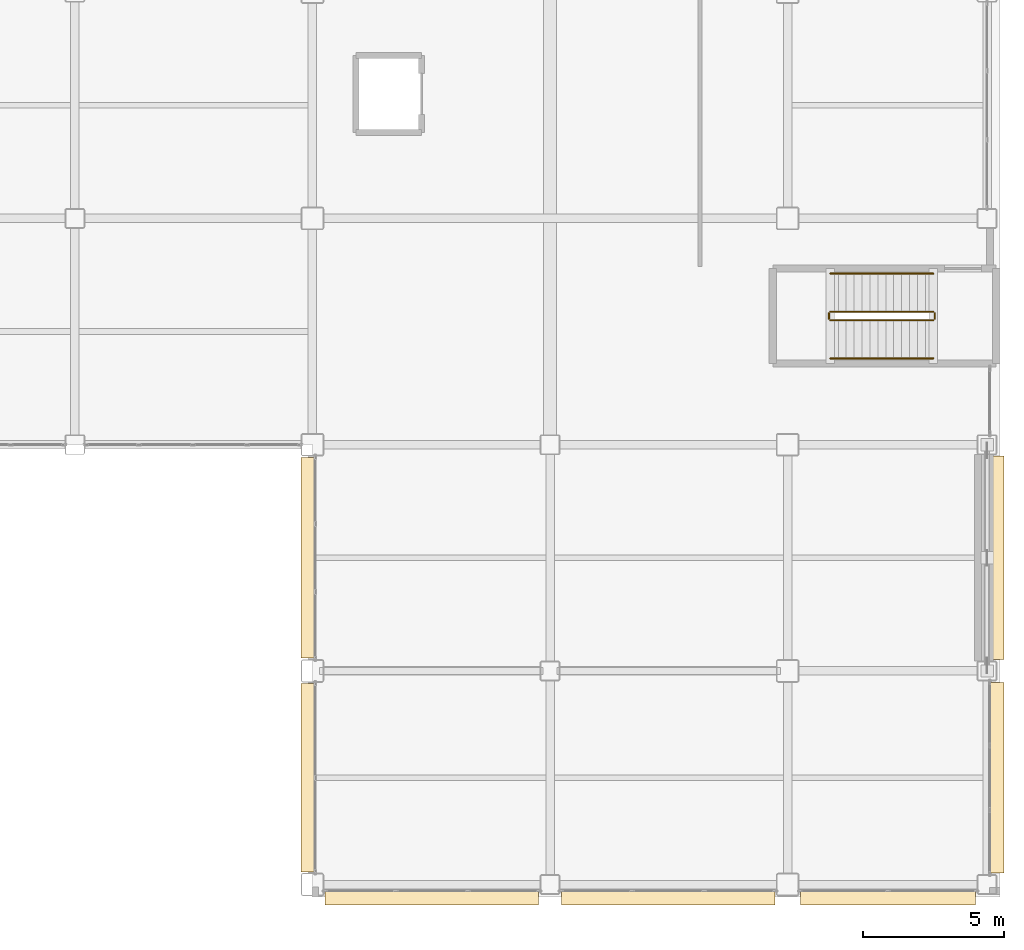
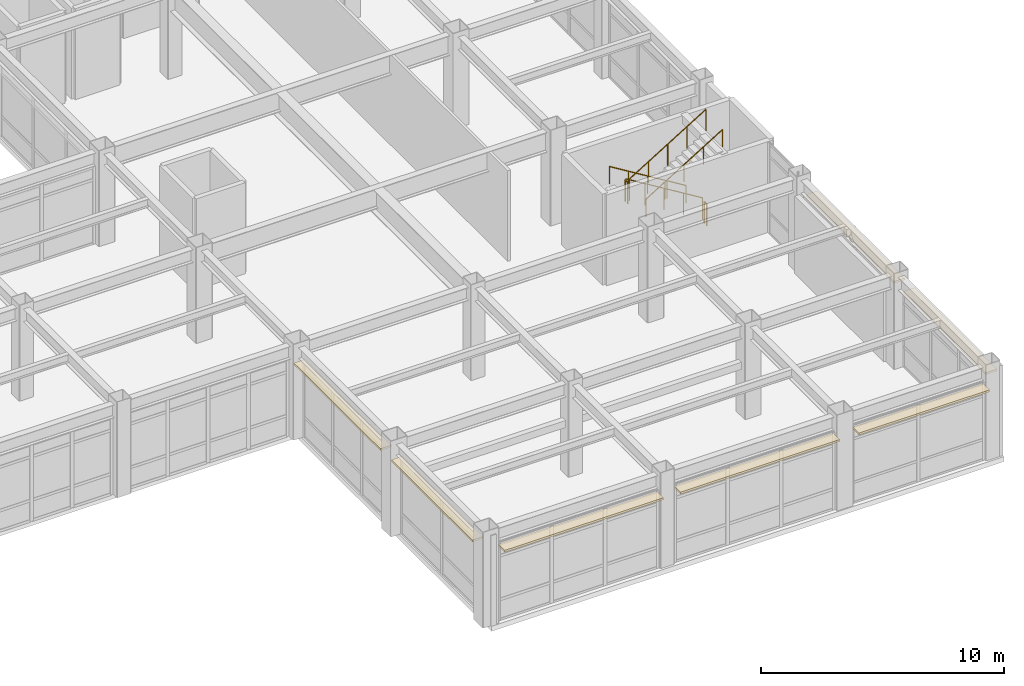
# One storey, part 150 of 154: 7 coverings, 6 railings.
"""IFC4 building model written with IfcOpenShell, lengths in metres."""

from ifc_helpers import new_model, si_unit, direction, frame, origin, origin_2d, place, context, subcontext, project, spatial, rectangle, circle, extrude, material, layer, layer_set, type_object, element, save


model = new_model("IFC4")

# Units and contexts
model_context = context("Model", 3, precision=1e-05, world=origin(), true_north=direction((0.0, 1.0)))
body_context = subcontext(model_context, "Body", "Model", "MODEL_VIEW")
ifc_project = project(units=[si_unit("LENGTHUNIT", "METRE"), si_unit("AREAUNIT", "SQUARE_METRE"), si_unit("VOLUMEUNIT", "CUBIC_METRE"), si_unit("PLANEANGLEUNIT", "RADIAN"), si_unit("MASSUNIT", "GRAM", prefix="KILO")], contexts=[model_context])

# Site, building, storey
site_placement = place(None, origin())
site = spatial("IfcSite", under=ifc_project, at=site_placement, CompositionType="ELEMENT")
building_placement = place(site_placement, origin())
building = spatial("IfcBuilding", under=site, at=building_placement, Name="Kazehara Bluff Congress Hotel", CompositionType="ELEMENT")
storey_placement = place(building_placement, frame((0.0, 0.0, 10.199951171875)))
storey = spatial("IfcBuildingStorey", under=building, at=storey_placement, Name="L02", CompositionType="ELEMENT", Elevation=10.199951171875)

# Coverings
ifc_material_1 = material(Name="Anodised aluminium architectural brise-soleil", Category="aluminium")
ifc_layer = layer(ifc_material_1, 0.10009765625)
ifc_layer_set = layer_set([ifc_layer], Name="Anodised aluminium architectural brise-soleil")
covering_type = type_object("IfcCoveringType", Name="TP-FAC-FIN", PredefinedType="CLADDING", material=ifc_layer_set)
for number, where, z_axis, x_axis, name in (
    (1, (147.925048828125, -0.02001953125, 3.715087890625), (0.0, 0.0, 1.0), (1.0, 0.0, 0.0), "L02 V5 architectural sun-hood 103"),
    (2, (156.27490234375, -0.02001953125, 3.715087890625), (0.0, 0.0, 1.0), (1.0, 0.0, 0.0), "L02 V5 architectural sun-hood 104"),
):
    element("IfcCovering", number, at=place(storey_placement, frame(where, z_axis=z_axis, x_axis=x_axis)), inside=storey, type_object=covering_type, Name=name, PredefinedType="CLADDING", context=body_context, shape_type="SweptSolid", body=[
        extrude(rectangle(XDim=7.550048828125, YDim=0.52001953125, at=origin_2d()), origin(), (0.0, 0.0, 1.0), 0.10009765625),
    ])
covering_1_placement = place(storey_placement, frame((164.050048828125, -0.02001953125, 3.715087890625), z_axis=(0.0, 0.0, 1.0), x_axis=(1.0, 0.0, 0.0)))
element("IfcCovering", 3, at=covering_1_placement, inside=storey, type_object=covering_type, Name="L02 V5 architectural sun-hood 105", PredefinedType="CLADDING", context=body_context, shape_type="SweptSolid", body=[
    extrude(rectangle(XDim=6.199951171875, YDim=0.52001953125, at=origin_2d()), origin(), (0.0, 0.0, 1.0), 0.10009765625),
])
covering_2_placement = place(storey_placement, frame((167.889892578125, 4.22509765625, 3.715087890625), z_axis=(0.0, 0.0, 1.0), x_axis=(1.0, 0.0, 0.0)))
element("IfcCovering", 4, at=covering_2_placement, inside=storey, type_object=covering_type, Name="L02 V5 architectural sun-hood 106", PredefinedType="CLADDING", context=body_context, shape_type="SweptSolid", body=[
    extrude(rectangle(XDim=0.52001953125, YDim=6.75, at=origin_2d()), origin(), (0.0, 0.0, 1.0), 0.10009765625),
])
covering_3_placement = place(storey_placement, frame((167.889892578125, 12.0, 3.715087890625), z_axis=(0.0, 0.0, 1.0), x_axis=(1.0, 0.0, 0.0)))
element("IfcCovering", 5, at=covering_3_placement, inside=storey, type_object=covering_type, Name="L02 V5 architectural sun-hood 107", PredefinedType="CLADDING", context=body_context, shape_type="SweptSolid", body=[
    extrude(rectangle(XDim=0.52001953125, YDim=7.199951171875, at=origin_2d()), origin(), (0.0, 0.0, 1.0), 0.10009765625),
])
covering_4_placement = place(storey_placement, frame((143.56005859375, 4.22509765625, 3.81494140625), z_axis=(0.0, 0.0, 1.0), x_axis=(1.0, 0.0, 0.0)))
element("IfcCovering", 6, at=covering_4_placement, inside=storey, type_object=covering_type, Name="L02 V5 architectural sun-hood 134", PredefinedType="CLADDING", context=body_context, shape_type="SweptSolid", body=[
    extrude(rectangle(XDim=0.52001953125, YDim=6.64990234375, at=origin_2d()), origin(), (0.0, 0.0, 1.0), 0.10009765625),
])
covering_5_placement = place(storey_placement, frame((143.56005859375, 12.0, 3.81494140625), z_axis=(0.0, 0.0, 1.0), x_axis=(1.0, 0.0, 0.0)))
element("IfcCovering", 7, at=covering_5_placement, inside=storey, type_object=covering_type, Name="L02 V5 architectural sun-hood 135", PredefinedType="CLADDING", context=body_context, shape_type="SweptSolid", body=[
    extrude(rectangle(XDim=0.52001953125, YDim=7.10009765625, at=origin_2d()), origin(), (0.0, 0.0, 1.0), 0.10009765625),
])

# Railings
ifc_material_2 = material(Name="Brushed stainless steel", Category="steel")
railing_type_1 = type_object("IfcRailingType", Name="TP-GRD-INT", PredefinedType="GUARDRAIL", material=ifc_material_2)
railing_1_placement = place(storey_placement, frame((165.64990234375, 20.699951171875, 0.17138671875)))
element("IfcRailing", 8, at=railing_1_placement, inside=storey, type_object=railing_type_1, Name="L02 ST-10 stair guard 1", PredefinedType="GUARDRAIL", context=body_context, shape_type="SweptSolid", body=[
    extrude(circle(Radius=0.02392578125, at=origin_2d()), frame((0.0, 0.0, 1.076171875), z_axis=(-0.852824790078, 0.0, 0.522197163366), x_axis=(0.0, -1.0, 0.0)), (0.0, 0.0, 1.0), 4.26806640625),
    extrude(circle(Radius=0.02099609375, at=origin_2d()), origin(), (0.0, 0.0, 1.0), 1.052001953125),
    extrude(circle(Radius=0.02099609375, at=origin_2d()), frame((-0.909912109375, 0.0, 0.55712890625)), (0.0, 0.0, 1.0), 1.052001953125),
    extrude(circle(Radius=0.02099609375, at=origin_2d()), frame((-1.81982421875, 0.0, 1.1142578125)), (0.0, 0.0, 1.0), 1.052001953125),
    extrude(circle(Radius=0.02099609375, at=origin_2d()), frame((-2.72998046875, 0.0, 1.671630859375)), (0.0, 0.0, 1.0), 1.052001953125),
    extrude(circle(Radius=0.02099609375, at=origin_2d()), frame((-3.639892578125, 0.0, 2.228759765625)), (0.0, 0.0, 1.0), 1.052001953125),
])
railing_2_placement = place(storey_placement, frame((161.9599609375, 20.64990234375, 2.400146484375)))
element("IfcRailing", 9, at=railing_2_placement, inside=storey, type_object=railing_type_1, Name="L02 ST-10 stair guard 2", PredefinedType="GUARDRAIL", context=body_context, shape_type="SweptSolid", body=[
    extrude(circle(Radius=0.02392578125, at=origin_2d()), frame((0.0, 0.0, 1.076171875), z_axis=(0.0, -1.0, 0.0), x_axis=(1.0, 0.0, 0.0)), (0.0, 0.0, 1.0), 0.199951171875),
    extrude(circle(Radius=0.02099609375, at=origin_2d()), origin(), (0.0, 0.0, 1.0), 1.052001953125),
    extrude(circle(Radius=0.02099609375, at=origin_2d()), frame((0.0, -0.199951171875, 0.0)), (0.0, 0.0, 1.0), 1.052001953125),
])
railing_3_placement = place(storey_placement, frame((162.010009765625, 20.39990234375, 2.571533203125)))
element("IfcRailing", 10, at=railing_3_placement, inside=storey, type_object=railing_type_1, Name="L02 ST-10 stair guard 3", PredefinedType="GUARDRAIL", context=body_context, shape_type="SweptSolid", body=[
    extrude(circle(Radius=0.02392578125, at=origin_2d()), frame((0.0, 0.0, 1.076171875), z_axis=(0.852850264322, 0.0, 0.5221555579), x_axis=(0.0, 1.0, 0.0)), (0.0, 0.0, 1.0), 4.267822265625),
    extrude(circle(Radius=0.02099609375, at=origin_2d()), origin(), (0.0, 0.0, 1.0), 1.052001953125),
    extrude(circle(Radius=0.02099609375, at=origin_2d()), frame((0.909912109375, 0.0, 0.55712890625)), (0.0, 0.0, 1.0), 1.052001953125),
    extrude(circle(Radius=0.02099609375, at=origin_2d()), frame((1.81982421875, 0.0, 1.1142578125)), (0.0, 0.0, 1.0), 1.052001953125),
    extrude(circle(Radius=0.02099609375, at=origin_2d()), frame((2.72998046875, 0.0, 1.67138671875)), (0.0, 0.0, 1.0), 1.052001953125),
    extrude(circle(Radius=0.02099609375, at=origin_2d()), frame((3.639892578125, 0.0, 2.228515625)), (0.0, 0.0, 1.0), 1.052001953125),
])
railing_4_placement = place(storey_placement, frame((165.699951171875, 20.64990234375, 0.0)))
element("IfcRailing", 11, at=railing_4_placement, inside=storey, type_object=railing_type_1, Name="L02 ST-10 stair guard 4", PredefinedType="GUARDRAIL", context=body_context, shape_type="SweptSolid", body=[
    extrude(circle(Radius=0.02392578125, at=origin_2d()), frame((0.0, 0.0, 1.076171875), z_axis=(0.0, -1.0, 0.0), x_axis=(1.0, 0.0, 0.0)), (0.0, 0.0, 1.0), 0.199951171875),
    extrude(circle(Radius=0.02099609375, at=origin_2d()), origin(), (0.0, 0.0, 1.0), 1.052001953125),
    extrude(circle(Radius=0.02099609375, at=origin_2d()), frame((0.0, -0.199951171875, 0.0)), (0.0, 0.0, 1.0), 1.052001953125),
])
ifc_material_3 = material(Name="Brushed stainless steel", Category="steel")
railing_type_2 = type_object("IfcRailingType", Name="TP-HR-INT", PredefinedType="HANDRAIL", material=ifc_material_3)
railing_5_placement = place(storey_placement, frame((165.64990234375, 22.050048828125, 0.17138671875)))
element("IfcRailing", 12, at=railing_5_placement, inside=storey, type_object=railing_type_2, Name="L02 ST-10 stair handrail 1", PredefinedType="HANDRAIL", context=body_context, shape_type="SweptSolid", body=[
    extrude(circle(Radius=0.02392578125, at=origin_2d()), frame((0.0, 0.0, 0.8759765625), z_axis=(-0.852824790078, 0.0, 0.522197163366), x_axis=(0.0, -1.0, 0.0)), (0.0, 0.0, 1.0), 4.26806640625),
    extrude(circle(Radius=0.02099609375, at=origin_2d()), origin(), (0.0, 0.0, 1.0), 0.851806640625),
    extrude(circle(Radius=0.02099609375, at=origin_2d()), frame((-0.909912109375, 0.0, 0.55712890625)), (0.0, 0.0, 1.0), 0.851806640625),
    extrude(circle(Radius=0.02099609375, at=origin_2d()), frame((-1.81982421875, 0.0, 1.1142578125)), (0.0, 0.0, 1.0), 0.851806640625),
    extrude(circle(Radius=0.02099609375, at=origin_2d()), frame((-2.72998046875, 0.0, 1.671630859375)), (0.0, 0.0, 1.0), 0.851806640625),
    extrude(circle(Radius=0.02099609375, at=origin_2d()), frame((-3.639892578125, 0.0, 2.228759765625)), (0.0, 0.0, 1.0), 0.851806640625),
])
railing_6_placement = place(storey_placement, frame((162.010009765625, 19.050048828125, 2.571533203125)))
element("IfcRailing", 13, at=railing_6_placement, inside=storey, type_object=railing_type_2, Name="L02 ST-10 stair handrail 2", PredefinedType="HANDRAIL", context=body_context, shape_type="SweptSolid", body=[
    extrude(circle(Radius=0.02392578125, at=origin_2d()), frame((0.0, 0.0, 0.8759765625), z_axis=(0.852850264322, 0.0, 0.5221555579), x_axis=(0.0, 1.0, 0.0)), (0.0, 0.0, 1.0), 4.267822265625),
    extrude(circle(Radius=0.02099609375, at=origin_2d()), origin(), (0.0, 0.0, 1.0), 0.851806640625),
    extrude(circle(Radius=0.02099609375, at=origin_2d()), frame((0.909912109375, 0.0, 0.55712890625)), (0.0, 0.0, 1.0), 0.851806640625),
    extrude(circle(Radius=0.02099609375, at=origin_2d()), frame((1.81982421875, 0.0, 1.1142578125)), (0.0, 0.0, 1.0), 0.851806640625),
    extrude(circle(Radius=0.02099609375, at=origin_2d()), frame((2.72998046875, 0.0, 1.67138671875)), (0.0, 0.0, 1.0), 0.851806640625),
    extrude(circle(Radius=0.02099609375, at=origin_2d()), frame((3.639892578125, 0.0, 2.228515625)), (0.0, 0.0, 1.0), 0.851806640625),
])

save(model, "model.ifc")
